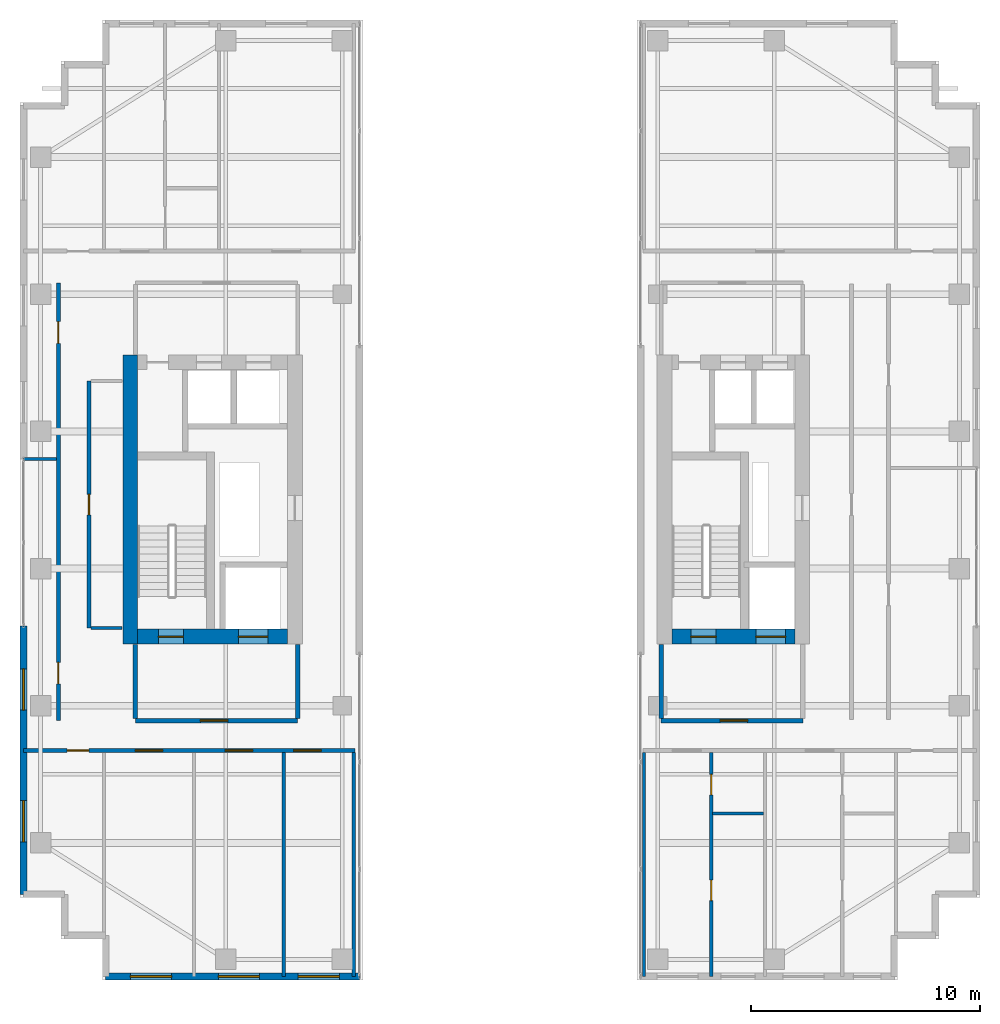
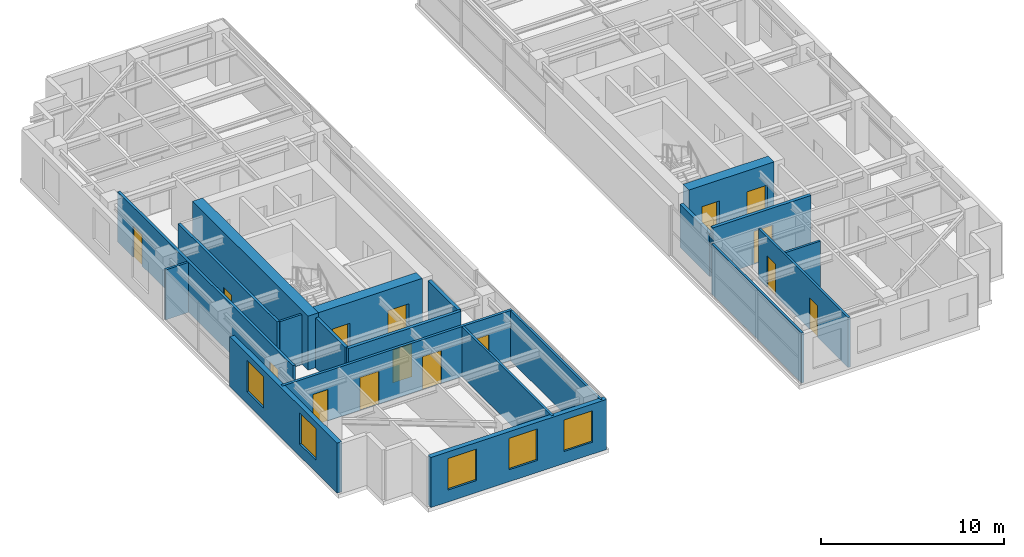
# One storey, part 16 of 20: 20 walls, 15 doors, 5 windows, 20 openings.
"""IFC4 building model written with IfcOpenShell, lengths in metres."""

from ifc_helpers import new_model, si_unit, direction, frame, frame_2d, origin, place, context, subcontext, project, spatial, rectangle, extrude, source, transform, mapped, material, layer, layer_set, type_object, element, fill, save


model = new_model("IFC4")

# Units and contexts
model_context = context("Model", 3, precision=1e-05, world=origin(), true_north=direction((0.0, 1.0)))
body_context = subcontext(model_context, "Body", "Model", "MODEL_VIEW")
ifc_project = project(units=[si_unit("LENGTHUNIT", "METRE"), si_unit("AREAUNIT", "SQUARE_METRE"), si_unit("VOLUMEUNIT", "CUBIC_METRE"), si_unit("PLANEANGLEUNIT", "RADIAN"), si_unit("MASSUNIT", "GRAM", prefix="KILO")], contexts=[model_context])

# Site, building, storey
site_placement = place(None, origin())
site = spatial("IfcSite", under=ifc_project, at=site_placement, CompositionType="ELEMENT")
building_placement = place(site_placement, origin())
building = spatial("IfcBuilding", under=site, at=building_placement, Name="Khoralis Quay Care Tower", CompositionType="ELEMENT")
storey_placement = place(building_placement, frame((0.0, 0.0, 198.89990234375)))
storey = spatial("IfcBuildingStorey", under=building, at=storey_placement, Name="L52", CompositionType="ELEMENT", Elevation=198.89990234375)

# Wall, opening, door
ifc_material_1 = material(Name="Gypsum plasterboard on acoustic metal stud")
ifc_layer_1 = layer(ifc_material_1, 0.199951171875)
ifc_layer_set_1 = layer_set([ifc_layer_1], Name="Gypsum plasterboard on acoustic metal stud")
wall_type_1 = type_object("IfcWallType", Name="WL-COMP-200", PredefinedType="PARTITIONING", material=ifc_layer_set_1)
wall_1_placement = place(storey_placement, frame((8.050048828125, 11.35009765625, 0.0), z_axis=(0.0, 0.0, 1.0), x_axis=(1.0, 0.0, 0.0)))
wall_1 = element("IfcWall", 1, at=wall_1_placement, inside=storey, type_object=wall_type_1, Name="L52 West Firefighting Lobby South Wall", PredefinedType="PARTITIONING", context=body_context, shape_type="SweptSolid", body=[
    extrude(rectangle(XDim=7.099853515625, YDim=0.199951171875, at=frame_2d((3.5498046875, 0.0))), origin(), (0.0, 0.0, 1.0), 3.340087890625),
])
opening_1_placement = place(wall_1_placement, frame((2.846435546875, 0.0, 0.0)))
opening_1 = element("IfcOpeningElement", 2, at=opening_1_placement, cuts=wall_1, Name="Opening FD1", PredefinedType="OPENING", context=body_context, shape_type="SweptSolid", body=[
    extrude(rectangle(XDim=1.199951171875, YDim=2.199951171875, at=frame_2d((0.60009765625, 1.10009765625))), frame((0.0, 0.10986328125, 0.0), z_axis=(0.0, -1.0, 0.0), x_axis=(1.0, 0.0, 0.0)), (0.0, 0.0, 1.0), 0.219970703125),
])
ifc_material_2 = material(Name="Fire-rated painted steel", Category="steel")
door_type_1 = type_object("IfcDoorType", Name="DR-FFL-1200X2200", OperationType="NOTDEFINED", PredefinedType="DOOR", material=ifc_material_2)
shared_shape_1 = source(origin(), body_context, "Body", "SweptSolid", [
    extrude(rectangle(XDim=1.199951171875, YDim=2.199951171875, at=frame_2d((0.60009765625, 1.10009765625))), frame((0.0, 0.02490234375, 0.0), z_axis=(0.0, -1.0, 0.0), x_axis=(1.0, 0.0, 0.0)), (0.0, 0.0, 1.0), 0.050048828125),
])
door_1_placement = place(opening_1_placement, origin())
door_1 = element("IfcDoor", 3, at=door_1_placement, inside=storey, type_object=door_type_1, Name="L52 West Firefighting Lobby Fire Door", OperationType="SINGLE_SWING_RIGHT", OverallHeight=2.199951171875, OverallWidth=1.199951171875, PredefinedType="DOOR", context=body_context, shape_type="MappedRepresentation", body=[
    mapped(shared_shape_1, transform((0.0, 0.0, 0.0), scale=1.0)),
])
fill(opening_1, door_1)

# Walls
for number, where, z_axis, x_axis, name in (
    (4, (8.050048828125, 11.445068359375, 0.0), (0.0, 0.0, 1.0), (0.0, 1.0, 0.0), "L52 West Firefighting Lobby West Wall"),
    (5, (15.14990234375, 11.445068359375, 0.0), (0.0, 0.0, 1.0), (0.0, 1.0, 0.0), "L52 West Firefighting Lobby East Wall"),
):
    element("IfcWall", number, at=place(storey_placement, frame(where, z_axis=z_axis, x_axis=x_axis)), inside=storey, type_object=wall_type_1, Name=name, PredefinedType="PARTITIONING", context=body_context, shape_type="SweptSolid", body=[
        extrude(rectangle(XDim=3.23486328125, YDim=0.199951171875, at=frame_2d((1.617431640625, 0.0))), origin(), (0.0, 0.0, 1.0), 3.340087890625),
    ])

# Wall, opening, door
wall_2_placement = place(storey_placement, frame((31.050048828125, 11.35009765625, 0.0), z_axis=(0.0, 0.0, 1.0), x_axis=(1.0, 0.0, 0.0)))
wall_2 = element("IfcWall", 6, at=wall_2_placement, inside=storey, type_object=wall_type_1, Name="L52 East Firefighting Lobby South Wall", PredefinedType="PARTITIONING", context=body_context, shape_type="SweptSolid", body=[
    extrude(rectangle(XDim=6.199951171875, YDim=0.199951171875, at=frame_2d((3.10009765625, 0.0))), origin(), (0.0, 0.0, 1.0), 3.340087890625),
])
opening_2_placement = place(wall_2_placement, frame((2.585693359375, 0.0, 0.0)))
opening_2 = element("IfcOpeningElement", 7, at=opening_2_placement, cuts=wall_2, Name="Opening FD1", PredefinedType="OPENING", context=body_context, shape_type="SweptSolid", body=[
    extrude(rectangle(XDim=1.199951171875, YDim=2.199951171875, at=frame_2d((0.60009765625, 1.10009765625))), frame((0.0, 0.10986328125, 0.0), z_axis=(0.0, -1.0, 0.0), x_axis=(1.0, 0.0, 0.0)), (0.0, 0.0, 1.0), 0.219970703125),
])
door_2_placement = place(opening_2_placement, origin())
door_2 = element("IfcDoor", 8, at=door_2_placement, inside=storey, type_object=door_type_1, Name="L52 East Firefighting Lobby Fire Door", OperationType="SINGLE_SWING_LEFT", OverallHeight=2.199951171875, OverallWidth=1.199951171875, PredefinedType="DOOR", context=body_context, shape_type="MappedRepresentation", body=[
    mapped(shared_shape_1, transform((0.0, 0.0, 0.0), scale=1.0)),
])
fill(opening_2, door_2)

# Walls
wall_3_placement = place(storey_placement, frame((31.050048828125, 11.445068359375, 0.0), z_axis=(0.0, 0.0, 1.0), x_axis=(0.0, 1.0, 0.0)))
element("IfcWall", 9, at=wall_3_placement, inside=storey, type_object=wall_type_1, Name="L52 East Firefighting Lobby West Wall", PredefinedType="PARTITIONING", context=body_context, shape_type="SweptSolid", body=[
    extrude(rectangle(XDim=3.23486328125, YDim=0.199951171875, at=frame_2d((1.617431640625, 0.0))), origin(), (0.0, 0.0, 1.0), 2.881103515625),
])
ifc_material_3 = material(Name="Concrete C65/80", Category="concrete")
ifc_layer_2 = layer(ifc_material_3, 0.64990234375)
ifc_layer_set_2 = layer_set([ifc_layer_2], Name="Concrete C65/80")
wall_type_2 = type_object("IfcWallType", Name="WL-CORE-650", PredefinedType="SHEAR", material=ifc_layer_set_2)
wall_4_placement = place(storey_placement, frame((7.824951171875, 14.699951171875, 0.0), z_axis=(0.0, 0.0, 1.0), x_axis=(0.0, 1.0, 0.0)))
element("IfcWall", 10, at=wall_4_placement, inside=storey, type_object=wall_type_2, Name="L52 WCORE West Shear Wall", PredefinedType="SHEAR", context=body_context, shape_type="SweptSolid", body=[
    extrude(rectangle(XDim=12.650146484375, YDim=0.64990234375, at=frame_2d((6.3251953125, 0.0))), origin(), (0.0, 0.0, 1.0), 3.60009765625),
])

# Wall, openings, doors
wall_5_placement = place(storey_placement, frame((8.14990234375, 15.02490234375, 0.0), z_axis=(0.0, 0.0, 1.0), x_axis=(1.0, 0.0, 0.0)))
wall_5 = element("IfcWall", 11, at=wall_5_placement, inside=storey, type_object=wall_type_2, Name="L52 WCORE South Shear Wall", PredefinedType="SHEAR", context=body_context, shape_type="SweptSolid", body=[
    extrude(rectangle(XDim=6.550048828125, YDim=0.64990234375, at=frame_2d((3.27490234375, 0.0))), origin(), (0.0, 0.0, 1.0), 3.60009765625),
])
opening_3_placement = place(wall_5_placement, frame((0.89990234375, 0.0, 0.0)))
opening_3 = element("IfcOpeningElement", 12, at=opening_3_placement, cuts=wall_5, Name="Opening SD1", PredefinedType="OPENING", context=body_context, shape_type="SweptSolid", body=[
    extrude(rectangle(XDim=1.10009765625, YDim=2.199951171875, at=frame_2d((0.550048828125, 1.10009765625))), frame((0.0, 0.3349609375, 0.0), z_axis=(0.0, -1.0, 0.0), x_axis=(1.0, 0.0, 0.0)), (0.0, 0.0, 1.0), 0.669921875),
])
opening_4_placement = place(wall_5_placement, frame((4.39990234375, 0.0, 0.0)))
opening_4 = element("IfcOpeningElement", 13, at=opening_4_placement, cuts=wall_5, Name="Opening LD2", PredefinedType="OPENING", context=body_context, shape_type="SweptSolid", body=[
    extrude(rectangle(XDim=1.300048828125, YDim=2.199951171875, at=frame_2d((0.64990234375, 1.10009765625))), frame((0.0, 0.3349609375, 0.0), z_axis=(0.0, -1.0, 0.0), x_axis=(1.0, 0.0, 0.0)), (0.0, 0.0, 1.0), 0.669921875),
])
door_type_2 = type_object("IfcDoorType", Name="DR-STAIR-1100X2200", OperationType="NOTDEFINED", PredefinedType="DOOR", material=ifc_material_2)
shared_shape_2 = source(origin(), body_context, "Body", "SweptSolid", [
    extrude(rectangle(XDim=1.10009765625, YDim=2.199951171875, at=frame_2d((0.550048828125, 1.10009765625))), frame((0.0, 0.02490234375, 0.0), z_axis=(0.0, -1.0, 0.0), x_axis=(1.0, 0.0, 0.0)), (0.0, 0.0, 1.0), 0.050048828125),
])
door_3_placement = place(opening_3_placement, origin())
door_3 = element("IfcDoor", 14, at=door_3_placement, inside=storey, type_object=door_type_2, Name="L52 Stair ST-T1 Fire Door", OperationType="SINGLE_SWING_RIGHT", OverallHeight=2.199951171875, OverallWidth=1.10009765625, PredefinedType="DOOR", context=body_context, shape_type="MappedRepresentation", body=[
    mapped(shared_shape_2, transform((0.0, 0.0, 0.0), scale=1.0)),
])
fill(opening_3, door_3)
ifc_material_4 = material(Name="Brushed stainless steel", Category="steel")
door_type_3 = type_object("IfcDoorType", Name="DR-LIFT-1300X2200", OperationType="SLIDING_TO_RIGHT", PredefinedType="DOOR", material=ifc_material_4)
shared_shape_3 = source(origin(), body_context, "Body", "SweptSolid", [
    extrude(rectangle(XDim=1.300048828125, YDim=2.199951171875, at=frame_2d((0.64990234375, 1.10009765625))), frame((0.0, 0.02490234375, 0.0), z_axis=(0.0, -1.0, 0.0), x_axis=(1.0, 0.0, 0.0)), (0.0, 0.0, 1.0), 0.050048828125),
])
door_4_placement = place(opening_4_placement, origin())
door_4 = element("IfcDoor", 15, at=door_4_placement, inside=storey, type_object=door_type_3, Name="L52 Firefighting Lift FFL-1 Landing Door", OperationType="SLIDING_TO_RIGHT", OverallHeight=2.199951171875, OverallWidth=1.300048828125, PredefinedType="DOOR", context=body_context, shape_type="MappedRepresentation", body=[
    mapped(shared_shape_3, transform((0.0, 0.0, 0.0), scale=1.0)),
])
fill(opening_4, door_4)

wall_6_placement = place(storey_placement, frame((31.52001953125, 15.02490234375, 0.0), z_axis=(0.0, 0.0, 1.0), x_axis=(1.0, 0.0, 0.0)))
wall_6 = element("IfcWall", 16, at=wall_6_placement, inside=storey, type_object=wall_type_2, Name="L52 ECORE South Shear Wall", PredefinedType="SHEAR", context=body_context, shape_type="SweptSolid", body=[
    extrude(rectangle(XDim=5.3798828125, YDim=0.64990234375, at=frame_2d((2.68994140625, 0.0))), origin(), (0.0, 0.0, 1.0), 3.60009765625),
])
opening_5_placement = place(wall_6_placement, frame((0.830078125, 0.0, 0.0)))
opening_5 = element("IfcOpeningElement", 17, at=opening_5_placement, cuts=wall_6, Name="Opening SD1", PredefinedType="OPENING", context=body_context, shape_type="SweptSolid", body=[
    extrude(rectangle(XDim=1.10009765625, YDim=2.199951171875, at=frame_2d((0.550048828125, 1.10009765625))), frame((0.0, 0.3349609375, 0.0), z_axis=(0.0, -1.0, 0.0), x_axis=(1.0, 0.0, 0.0)), (0.0, 0.0, 1.0), 0.669921875),
])
opening_6_placement = place(wall_6_placement, frame((3.679931640625, 0.0, 0.0)))
opening_6 = element("IfcOpeningElement", 18, at=opening_6_placement, cuts=wall_6, Name="Opening LD2", PredefinedType="OPENING", context=body_context, shape_type="SweptSolid", body=[
    extrude(rectangle(XDim=1.300048828125, YDim=2.199951171875, at=frame_2d((0.64990234375, 1.10009765625))), frame((0.0, 0.3349609375, 0.0), z_axis=(0.0, -1.0, 0.0), x_axis=(1.0, 0.0, 0.0)), (0.0, 0.0, 1.0), 0.669921875),
])
door_5_placement = place(opening_5_placement, origin())
door_5 = element("IfcDoor", 19, at=door_5_placement, inside=storey, type_object=door_type_2, Name="L52 Stair ST-T2 Fire Door", OperationType="SINGLE_SWING_LEFT", OverallHeight=2.199951171875, OverallWidth=1.10009765625, PredefinedType="DOOR", context=body_context, shape_type="MappedRepresentation", body=[
    mapped(shared_shape_2, transform((0.0, 0.0, 0.0), scale=1.0)),
])
fill(opening_5, door_5)
door_6_placement = place(opening_6_placement, origin())
door_6 = element("IfcDoor", 20, at=door_6_placement, inside=storey, type_object=door_type_3, Name="L52 Firefighting Lift FFL-2 Landing Door", OperationType="SLIDING_TO_RIGHT", OverallHeight=2.199951171875, OverallWidth=1.300048828125, PredefinedType="DOOR", context=body_context, shape_type="MappedRepresentation", body=[
    mapped(shared_shape_3, transform((0.0, 0.0, 0.0), scale=1.0)),
])
fill(opening_6, door_6)

# Wall, opening, door
ifc_layer_3 = layer(ifc_material_1, 0.1650390625)
ifc_layer_set_3 = layer_set([ifc_layer_3], Name="Gypsum plasterboard on acoustic metal stud")
wall_type_3 = type_object("IfcWallType", Name="WL-CORR-165", PredefinedType="PARTITIONING", material=ifc_layer_set_3)
wall_7_placement = place(storey_placement, frame((6.02001953125, 15.39990234375, 0.0), z_axis=(0.0, 0.0, 1.0), x_axis=(0.0, 1.0, 0.0)))
wall_7 = element("IfcWall", 21, at=wall_7_placement, inside=storey, type_object=wall_type_3, Name="L52 West Core Service Flank Wall", PredefinedType="PARTITIONING", context=body_context, shape_type="SweptSolid", body=[
    extrude(rectangle(XDim=10.800048828125, YDim=0.1650390625, at=frame_2d((5.39990234375, 0.0))), origin(), (0.0, 0.0, 1.0), 3.340087890625),
])
opening_7_placement = place(wall_7_placement, frame((4.949951171875, 0.0, 0.0)))
opening_7 = element("IfcOpeningElement", 22, at=opening_7_placement, cuts=wall_7, Name="Opening WD1", PredefinedType="OPENING", context=body_context, shape_type="SweptSolid", body=[
    extrude(rectangle(XDim=0.89990234375, YDim=2.10009765625, at=frame_2d((0.449951171875, 1.050048828125))), frame((0.0, 0.092529296875, 0.0), z_axis=(0.0, -1.0, 0.0), x_axis=(1.0, 0.0, 0.0)), (0.0, 0.0, 1.0), 0.18505859375),
])
ifc_material_5 = material(Name="Acoustic hardwood timber", Category="wood")
door_type_4 = type_object("IfcDoorType", Name="DR-BATH-900X2100", OperationType="NOTDEFINED", PredefinedType="DOOR", material=ifc_material_5)
shared_shape_4 = source(origin(), body_context, "Body", "SweptSolid", [
    extrude(rectangle(XDim=0.89990234375, YDim=2.10009765625, at=frame_2d((0.449951171875, 1.050048828125))), frame((0.0, 0.02490234375, 0.0), z_axis=(0.0, -1.0, 0.0), x_axis=(1.0, 0.0, 0.0)), (0.0, 0.0, 1.0), 0.050048828125),
])
door_7_placement = place(opening_7_placement, frame((0.89990234375, 0.0, 0.0), z_axis=(0.0, 0.0, 1.0), x_axis=(-1.0, 0.0, 0.0)))
door_7 = element("IfcDoor", 23, at=door_7_placement, inside=storey, type_object=door_type_4, Name="L52 Housekeeping & Public Accessible WC Door", OperationType="SINGLE_SWING_LEFT", OverallHeight=2.10009765625, OverallWidth=0.89990234375, PredefinedType="DOOR", context=body_context, shape_type="MappedRepresentation", body=[
    mapped(shared_shape_4, transform((0.0, 0.0, 0.0), scale=1.0)),
])
fill(opening_7, door_7)

# Wall, openings, doors
wall_8_placement = place(storey_placement, frame((3.14501953125, 10.0400390625, 0.0), z_axis=(0.0, 0.0, 1.0), x_axis=(1.0, 0.0, 0.0)))
wall_8 = element("IfcWall", 24, at=wall_8_placement, inside=storey, type_object=wall_type_3, Name="L52 West Wing South Corridor Wall", PredefinedType="PARTITIONING", context=body_context, shape_type="SweptSolid", body=[
    extrude(rectangle(XDim=14.5048828125, YDim=0.1650390625, at=frame_2d((7.25244140625, 0.0))), origin(), (0.0, 0.0, 1.0), 3.340087890625),
])
opening_8_placement = place(wall_8_placement, frame((4.89990234375, 0.0, 0.0)))
opening_8 = element("IfcOpeningElement", 25, at=opening_8_placement, cuts=wall_8, Name="Opening FD1", PredefinedType="OPENING", context=body_context, shape_type="SweptSolid", body=[
    extrude(rectangle(XDim=1.199951171875, YDim=2.199951171875, at=frame_2d((0.60009765625, 1.10009765625))), frame((0.0, 0.092529296875, 0.0), z_axis=(0.0, -1.0, 0.0), x_axis=(1.0, 0.0, 0.0)), (0.0, 0.0, 1.0), 0.18505859375),
])
opening_9_placement = place(wall_8_placement, frame((8.830078125, 0.0, 0.0)))
opening_9 = element("IfcOpeningElement", 26, at=opening_9_placement, cuts=wall_8, Name="Opening FD1", PredefinedType="OPENING", context=body_context, shape_type="SweptSolid", body=[
    extrude(rectangle(XDim=1.199951171875, YDim=2.199951171875, at=frame_2d((0.60009765625, 1.10009765625))), frame((0.0, 0.092529296875, 0.0), z_axis=(0.0, -1.0, 0.0), x_axis=(1.0, 0.0, 0.0)), (0.0, 0.0, 1.0), 0.18505859375),
])
opening_10_placement = place(wall_8_placement, frame((11.824951171875, 0.0, 0.0)))
opening_10 = element("IfcOpeningElement", 27, at=opening_10_placement, cuts=wall_8, Name="Opening FD1", PredefinedType="OPENING", context=body_context, shape_type="SweptSolid", body=[
    extrude(rectangle(XDim=1.199951171875, YDim=2.199951171875, at=frame_2d((0.60009765625, 1.10009765625))), frame((0.0, 0.092529296875, 0.0), z_axis=(0.0, -1.0, 0.0), x_axis=(1.0, 0.0, 0.0)), (0.0, 0.0, 1.0), 0.18505859375),
])
opening_11_placement = place(wall_8_placement, frame((1.919921875, 0.0, 0.0)))
opening_11 = element("IfcOpeningElement", 28, at=opening_11_placement, cuts=wall_8, Name="Opening ID1", PredefinedType="OPENING", context=body_context, shape_type="SweptSolid", body=[
    extrude(rectangle(XDim=0.949951171875, YDim=2.10009765625, at=frame_2d((0.47509765625, 1.050048828125))), frame((0.0, 0.092529296875, 0.0), z_axis=(0.0, -1.0, 0.0), x_axis=(1.0, 0.0, 0.0)), (0.0, 0.0, 1.0), 0.18505859375),
])
door_8_placement = place(opening_8_placement, frame((1.199951171875, 0.0, 0.0), z_axis=(0.0, 0.0, 1.0), x_axis=(-1.0, 0.0, 0.0)))
door_8 = element("IfcDoor", 29, at=door_8_placement, inside=storey, type_object=door_type_1, Name="L52 Resident Communal Day Lounge Door", OperationType="DOUBLE_DOOR_SINGLE_SWING", OverallHeight=2.199951171875, OverallWidth=1.199951171875, PredefinedType="DOOR", context=body_context, shape_type="MappedRepresentation", body=[
    mapped(shared_shape_1, transform((0.0, 0.0, 0.0), scale=1.0)),
])
fill(opening_8, door_8)
door_9_placement = place(opening_9_placement, frame((1.199951171875, 0.0, 0.0), z_axis=(0.0, 0.0, 1.0), x_axis=(-1.0, 0.0, 0.0)))
door_9 = element("IfcDoor", 30, at=door_9_placement, inside=storey, type_object=door_type_1, Name="L52 Resident Communal Day Lounge Door", OperationType="DOUBLE_DOOR_SINGLE_SWING", OverallHeight=2.199951171875, OverallWidth=1.199951171875, PredefinedType="DOOR", context=body_context, shape_type="MappedRepresentation", body=[
    mapped(shared_shape_1, transform((0.0, 0.0, 0.0), scale=1.0)),
])
fill(opening_9, door_9)
door_10_placement = place(opening_10_placement, frame((1.199951171875, 0.0, 0.0), z_axis=(0.0, 0.0, 1.0), x_axis=(-1.0, 0.0, 0.0)))
door_10 = element("IfcDoor", 31, at=door_10_placement, inside=storey, type_object=door_type_1, Name="L52 Resident Communal Day Lounge Door", OperationType="DOUBLE_DOOR_SINGLE_SWING", OverallHeight=2.199951171875, OverallWidth=1.199951171875, PredefinedType="DOOR", context=body_context, shape_type="MappedRepresentation", body=[
    mapped(shared_shape_1, transform((0.0, 0.0, 0.0), scale=1.0)),
])
fill(opening_10, door_10)
door_type_5 = type_object("IfcDoorType", Name="DR-ROOM-950X2100", OperationType="NOTDEFINED", PredefinedType="DOOR", material=ifc_material_5)
shared_shape_5 = source(origin(), body_context, "Body", "SweptSolid", [
    extrude(rectangle(XDim=0.949951171875, YDim=2.10009765625, at=frame_2d((0.47509765625, 1.050048828125))), frame((0.0, 0.02490234375, 0.0), z_axis=(0.0, -1.0, 0.0), x_axis=(1.0, 0.0, 0.0)), (0.0, 0.0, 1.0), 0.050048828125),
])
door_11_placement = place(opening_11_placement, frame((0.949951171875, 0.0, 0.0), z_axis=(0.0, 0.0, 1.0), x_axis=(-1.0, 0.0, 0.0)))
door_11 = element("IfcDoor", 32, at=door_11_placement, inside=storey, type_object=door_type_5, Name="L52 SW Corner Door", OperationType="SINGLE_SWING_LEFT", OverallHeight=2.10009765625, OverallWidth=0.949951171875, PredefinedType="DOOR", context=body_context, shape_type="MappedRepresentation", body=[
    mapped(shared_shape_5, transform((0.0, 0.0, 0.0), scale=1.0)),
])
fill(opening_11, door_11)

wall_9_placement = place(storey_placement, frame((4.679931640625, 11.35009765625, 0.0), z_axis=(0.0, 0.0, 1.0), x_axis=(0.0, 1.0, 0.0)))
wall_9 = element("IfcWall", 33, at=wall_9_placement, inside=storey, type_object=wall_type_3, Name="L52 West Mid South Entry Wall", PredefinedType="PARTITIONING", context=body_context, shape_type="SweptSolid", body=[
    extrude(rectangle(XDim=19.14990234375, YDim=0.1650390625, at=frame_2d((9.574951171875, 0.0))), origin(), (0.0, 0.0, 1.0), 3.340087890625),
])
opening_12_placement = place(wall_9_placement, frame((1.60009765625, 0.0, 0.0)))
opening_12 = element("IfcOpeningElement", 34, at=opening_12_placement, cuts=wall_9, Name="Opening ID1", PredefinedType="OPENING", context=body_context, shape_type="SweptSolid", body=[
    extrude(rectangle(XDim=0.949951171875, YDim=2.10009765625, at=frame_2d((0.47509765625, 1.050048828125))), frame((0.0, 0.092529296875, 0.0), z_axis=(0.0, -1.0, 0.0), x_axis=(1.0, 0.0, 0.0)), (0.0, 0.0, 1.0), 0.18505859375),
])
opening_13_placement = place(wall_9_placement, frame((16.5, 0.0, 0.0)))
opening_13 = element("IfcOpeningElement", 35, at=opening_13_placement, cuts=wall_9, Name="Opening ID1", PredefinedType="OPENING", context=body_context, shape_type="SweptSolid", body=[
    extrude(rectangle(XDim=0.949951171875, YDim=2.10009765625, at=frame_2d((0.47509765625, 1.050048828125))), frame((0.0, 0.092529296875, 0.0), z_axis=(0.0, -1.0, 0.0), x_axis=(1.0, 0.0, 0.0)), (0.0, 0.0, 1.0), 0.18505859375),
])
door_12_placement = place(opening_12_placement, frame((0.949951171875, 0.0, 0.0), z_axis=(0.0, 0.0, 1.0), x_axis=(-1.0, 0.0, 0.0)))
door_12 = element("IfcDoor", 36, at=door_12_placement, inside=storey, type_object=door_type_5, Name="L52 West Consultation Clinic Door", OperationType="SINGLE_SWING_LEFT", OverallHeight=2.10009765625, OverallWidth=0.949951171875, PredefinedType="DOOR", context=body_context, shape_type="MappedRepresentation", body=[
    mapped(shared_shape_5, transform((0.0, 0.0, 0.0), scale=1.0)),
])
fill(opening_12, door_12)
door_13_placement = place(opening_13_placement, frame((0.949951171875, 0.0, 0.0), z_axis=(0.0, 0.0, 1.0), x_axis=(-1.0, 0.0, 0.0)))
door_13 = element("IfcDoor", 37, at=door_13_placement, inside=storey, type_object=door_type_5, Name="L52 West Resident Day Lounge Door", OperationType="SINGLE_SWING_RIGHT", OverallHeight=2.10009765625, OverallWidth=0.949951171875, PredefinedType="DOOR", context=body_context, shape_type="MappedRepresentation", body=[
    mapped(shared_shape_5, transform((0.0, 0.0, 0.0), scale=1.0)),
])
fill(opening_13, door_13)

# Wall, openings, windows
ifc_material_6 = material(Name="Precast concrete C45/55", Category="concrete")
ifc_layer_4 = layer(ifc_material_6, 0.300048828125)
ifc_layer_set_4 = layer_set([ifc_layer_4], Name="Precast concrete C45/55")
wall_type_4 = type_object("IfcWallType", Name="WL-EXT-REF-300", PredefinedType="SOLIDWALL", material=ifc_layer_set_4)
wall_10_placement = place(storey_placement, frame((6.75, 0.14990234375, 0.0), z_axis=(0.0, 0.0, 1.0), x_axis=(1.0, 0.0, 0.0)))
wall_10 = element("IfcWall", 38, at=wall_10_placement, inside=storey, type_object=wall_type_4, Name="L52 External Facade Wall WL-EXT-L52-P1-E0", PredefinedType="SOLIDWALL", context=body_context, shape_type="SweptSolid", body=[
    extrude(rectangle(XDim=11.10009765625, YDim=0.300048828125, at=frame_2d((5.550048828125, 0.0))), origin(), (0.0, 0.0, 1.0), 3.340087890625),
])
opening_14_placement = place(wall_10_placement, frame((1.080078125, 0.0, 0.800048828125)))
opening_14 = element("IfcOpeningElement", 39, at=opening_14_placement, cuts=wall_10, Name="Opening W2", PredefinedType="OPENING", context=body_context, shape_type="SweptSolid", body=[
    extrude(rectangle(XDim=1.800048828125, YDim=2.10009765625, at=frame_2d((0.89990234375, 1.050048828125))), frame((0.0, 0.16015625, 0.0), z_axis=(0.0, -1.0, 0.0), x_axis=(1.0, 0.0, 0.0)), (0.0, 0.0, 1.0), 0.320068359375),
])
opening_15_placement = place(wall_10_placement, frame((4.925048828125, 0.0, 0.800048828125)))
opening_15 = element("IfcOpeningElement", 40, at=opening_15_placement, cuts=wall_10, Name="Opening W2", PredefinedType="OPENING", context=body_context, shape_type="SweptSolid", body=[
    extrude(rectangle(XDim=1.800048828125, YDim=2.10009765625, at=frame_2d((0.89990234375, 1.050048828125))), frame((0.0, 0.16015625, 0.0), z_axis=(0.0, -1.0, 0.0), x_axis=(1.0, 0.0, 0.0)), (0.0, 0.0, 1.0), 0.320068359375),
])
opening_16_placement = place(wall_10_placement, frame((8.419921875, 0.0, 0.800048828125)))
opening_16 = element("IfcOpeningElement", 41, at=opening_16_placement, cuts=wall_10, Name="Opening W2", PredefinedType="OPENING", context=body_context, shape_type="SweptSolid", body=[
    extrude(rectangle(XDim=1.800048828125, YDim=2.10009765625, at=frame_2d((0.89990234375, 1.050048828125))), frame((0.0, 0.16015625, 0.0), z_axis=(0.0, -1.0, 0.0), x_axis=(1.0, 0.0, 0.0)), (0.0, 0.0, 1.0), 0.320068359375),
])
ifc_material_7 = material(Name="Low-E solar-control double glazing", Category="glass")
window_type = type_object("IfcWindowType", Name="WN-POD-1800X2100", PartitioningType="SINGLE_PANEL", PredefinedType="WINDOW", material=ifc_material_7)
shared_shape_6 = source(origin(), body_context, "Body", "SweptSolid", [
    extrude(rectangle(XDim=1.800048828125, YDim=2.10009765625, at=frame_2d((0.89990234375, 1.050048828125))), frame((0.0, 0.030029296875, 0.0), z_axis=(0.0, -1.0, 0.0), x_axis=(1.0, 0.0, 0.0)), (0.0, 0.0, 1.0), 0.06005859375),
])
window_1_placement = place(opening_14_placement, origin())
window_1 = element("IfcWindow", 42, at=window_1_placement, inside=storey, type_object=window_type, Name="WN-L52-P1-E0 Facade Window 01", OverallHeight=2.10009765625, OverallWidth=1.800048828125, PartitioningType="SINGLE_PANEL", PredefinedType="WINDOW", context=body_context, shape_type="MappedRepresentation", body=[
    mapped(shared_shape_6, transform((0.0, 0.0, 0.0), scale=1.0)),
])
fill(opening_14, window_1)
window_2_placement = place(opening_15_placement, origin())
window_2 = element("IfcWindow", 43, at=window_2_placement, inside=storey, type_object=window_type, Name="WN-L52-P1-E0 Facade Window 02", OverallHeight=2.10009765625, OverallWidth=1.800048828125, PartitioningType="SINGLE_PANEL", PredefinedType="WINDOW", context=body_context, shape_type="MappedRepresentation", body=[
    mapped(shared_shape_6, transform((0.0, 0.0, 0.0), scale=1.0)),
])
fill(opening_15, window_2)
window_3_placement = place(opening_16_placement, origin())
window_3 = element("IfcWindow", 44, at=window_3_placement, inside=storey, type_object=window_type, Name="WN-L52-P1-E0 Facade Window 03", OverallHeight=2.10009765625, OverallWidth=1.800048828125, PartitioningType="SINGLE_PANEL", PredefinedType="WINDOW", context=body_context, shape_type="MappedRepresentation", body=[
    mapped(shared_shape_6, transform((0.0, 0.0, 0.0), scale=1.0)),
])
fill(opening_16, window_3)

wall_11_placement = place(storey_placement, frame((3.14990234375, 15.47998046875, 0.0), z_axis=(0.0, 0.0, 1.0), x_axis=(0.0, -1.0, 0.0)))
wall_11 = element("IfcWall", 45, at=wall_11_placement, inside=storey, type_object=wall_type_4, Name="L52 External Facade Wall WL-EXT-L52-P1-E7B", PredefinedType="SOLIDWALL", context=body_context, shape_type="SweptSolid", body=[
    extrude(rectangle(XDim=11.72998046875, YDim=0.300048828125, at=frame_2d((5.864990234375, 0.0))), origin(), (0.0, 0.0, 1.0), 3.340087890625),
])
opening_17_placement = place(wall_11_placement, frame((1.8701171875, 0.0, 0.800048828125)))
opening_17 = element("IfcOpeningElement", 46, at=opening_17_placement, cuts=wall_11, Name="Opening W2", PredefinedType="OPENING", context=body_context, shape_type="SweptSolid", body=[
    extrude(rectangle(XDim=1.800048828125, YDim=2.10009765625, at=frame_2d((0.89990234375, 1.050048828125))), frame((0.0, 0.16015625, 0.0), z_axis=(0.0, -1.0, 0.0), x_axis=(1.0, 0.0, 0.0)), (0.0, 0.0, 1.0), 0.320068359375),
])
opening_18_placement = place(wall_11_placement, frame((7.635009765625, 0.0, 0.800048828125)))
opening_18 = element("IfcOpeningElement", 47, at=opening_18_placement, cuts=wall_11, Name="Opening W2", PredefinedType="OPENING", context=body_context, shape_type="SweptSolid", body=[
    extrude(rectangle(XDim=1.800048828125, YDim=2.10009765625, at=frame_2d((0.89990234375, 1.050048828125))), frame((0.0, 0.16015625, 0.0), z_axis=(0.0, -1.0, 0.0), x_axis=(1.0, 0.0, 0.0)), (0.0, 0.0, 1.0), 0.320068359375),
])
window_4_placement = place(opening_17_placement, origin())
window_4 = element("IfcWindow", 48, at=window_4_placement, inside=storey, type_object=window_type, Name="WN-L52-P1-E7B Facade Window 01", OverallHeight=2.10009765625, OverallWidth=1.800048828125, PartitioningType="SINGLE_PANEL", PredefinedType="WINDOW", context=body_context, shape_type="MappedRepresentation", body=[
    mapped(shared_shape_6, transform((0.0, 0.0, 0.0), scale=1.0)),
])
fill(opening_17, window_4)
window_5_placement = place(opening_18_placement, origin())
window_5 = element("IfcWindow", 49, at=window_5_placement, inside=storey, type_object=window_type, Name="WN-L52-P1-E7B Facade Window 02", OverallHeight=2.10009765625, OverallWidth=1.800048828125, PartitioningType="SINGLE_PANEL", PredefinedType="WINDOW", context=body_context, shape_type="MappedRepresentation", body=[
    mapped(shared_shape_6, transform((0.0, 0.0, 0.0), scale=1.0)),
])
fill(opening_18, window_5)

# Wall, openings, doors
ifc_material_8 = material(Name="Moisture-resistant gypsum and ceramic tile")
ifc_layer_5 = layer(ifc_material_8, 0.280029296875)
ifc_layer_set_5 = layer_set([ifc_layer_5], Name="Moisture-resistant gypsum and ceramic tile")
wall_type_5 = type_object("IfcWallType", Name="WL-PLUMB-280", PredefinedType="PLUMBINGWALL", material=ifc_layer_set_5)
wall_12_placement = place(storey_placement, frame((33.239990234375, 0.14501953125, 0.0), z_axis=(0.0, 0.0, 1.0), x_axis=(0.0, 1.0, 0.0)))
wall_12 = element("IfcWall", 50, at=wall_12_placement, inside=storey, type_object=wall_type_5, Name="L52 Care Suite 0 En-Suite Wall V", PredefinedType="PLUMBINGWALL", context=body_context, shape_type="SweptSolid", body=[
    extrude(rectangle(XDim=9.8173828125, YDim=0.139892578125, at=frame_2d((4.90869140625, 0.0))), origin(), (0.0, 0.0, 1.0), 3.340087890625),
])
opening_19_placement = place(wall_12_placement, frame((7.955078125, 0.0, 0.0)))
opening_19 = element("IfcOpeningElement", 51, at=opening_19_placement, cuts=wall_12, Name="Opening WD1", PredefinedType="OPENING", context=body_context, shape_type="SweptSolid", body=[
    extrude(rectangle(XDim=0.89990234375, YDim=2.10009765625, at=frame_2d((0.449951171875, 1.050048828125))), frame((0.0, 0.080078125, 0.0), z_axis=(0.0, -1.0, 0.0), x_axis=(1.0, 0.0, 0.0)), (0.0, 0.0, 1.0), 0.159912109375),
])
opening_20_placement = place(wall_12_placement, frame((3.324951171875, 0.0, 0.0)))
opening_20 = element("IfcOpeningElement", 52, at=opening_20_placement, cuts=wall_12, Name="Opening WD1", PredefinedType="OPENING", context=body_context, shape_type="SweptSolid", body=[
    extrude(rectangle(XDim=0.89990234375, YDim=2.10009765625, at=frame_2d((0.449951171875, 1.050048828125))), frame((0.0, 0.080078125, 0.0), z_axis=(0.0, -1.0, 0.0), x_axis=(1.0, 0.0, 0.0)), (0.0, 0.0, 1.0), 0.159912109375),
])
door_14_placement = place(opening_19_placement, frame((0.89990234375, 0.0, 0.0), z_axis=(0.0, 0.0, 1.0), x_axis=(-1.0, 0.0, 0.0)))
door_14 = element("IfcDoor", 53, at=door_14_placement, inside=storey, type_object=door_type_4, Name="L52 Care CENS Door", OperationType="SINGLE_SWING_RIGHT", OverallHeight=2.10009765625, OverallWidth=0.89990234375, PredefinedType="DOOR", context=body_context, shape_type="MappedRepresentation", body=[
    mapped(shared_shape_4, transform((0.0, 0.0, 0.0), scale=1.0)),
])
fill(opening_19, door_14)
door_15_placement = place(opening_20_placement, frame((0.89990234375, 0.0, 0.0), z_axis=(0.0, 0.0, 1.0), x_axis=(-1.0, 0.0, 0.0)))
door_15 = element("IfcDoor", 54, at=door_15_placement, inside=storey, type_object=door_type_4, Name="L52 Care CSIT Door", OperationType="SINGLE_SWING_LEFT", OverallHeight=2.10009765625, OverallWidth=0.89990234375, PredefinedType="DOOR", context=body_context, shape_type="MappedRepresentation", body=[
    mapped(shared_shape_4, transform((0.0, 0.0, 0.0), scale=1.0)),
])
fill(opening_20, door_15)

# Walls
wall_13_placement = place(storey_placement, frame((33.304931640625, 7.2900390625, 0.0), z_axis=(0.0, 0.0, 1.0), x_axis=(1.0, 0.0, 0.0)))
element("IfcWall", 55, at=wall_13_placement, inside=storey, type_object=wall_type_5, Name="L52 Care Suite 0 En-Suite Wall H", PredefinedType="PLUMBINGWALL", context=body_context, shape_type="SweptSolid", body=[
    extrude(rectangle(XDim=2.219970703125, YDim=0.139892578125, at=frame_2d((1.10986328125, 0.0))), origin(), (0.0, 0.0, 1.0), 3.340087890625),
])
ifc_layer_6 = layer(ifc_material_1, 0.139892578125)
ifc_layer_set_6 = layer_set([ifc_layer_6], Name="Gypsum plasterboard on acoustic metal stud")
wall_type_6 = type_object("IfcWallType", Name="WL-UNIT-140", PredefinedType="PARTITIONING", material=ifc_layer_set_6)
wall_14_placement = place(storey_placement, frame((6.097412109375, 15.39990234375, 0.0), z_axis=(0.0, 0.0, 1.0), x_axis=(1.0, 0.0, 0.0)))
element("IfcWall", 56, at=wall_14_placement, inside=storey, type_object=wall_type_6, Name="L52 West Flank South Cap", PredefinedType="PARTITIONING", context=body_context, shape_type="SweptSolid", body=[
    extrude(rectangle(XDim=1.362548828125, YDim=0.139892578125, at=frame_2d((0.68115234375, 0.0))), origin(), (0.0, 0.0, 1.0), 3.340087890625),
])
wall_15_placement = place(storey_placement, frame((3.14501953125, 22.800048828125, 0.0), z_axis=(0.0, 0.0, 1.0), x_axis=(1.0, 0.0, 0.0)))
element("IfcWall", 57, at=wall_15_placement, inside=storey, type_object=wall_type_6, Name="L52 West Mid Split", PredefinedType="PARTITIONING", context=body_context, shape_type="SweptSolid", body=[
    extrude(rectangle(XDim=1.45751953125, YDim=0.139892578125, at=frame_2d((0.728759765625, 0.0))), origin(), (0.0, 0.0, 1.0), 3.340087890625),
])
for number, where, z_axis, x_axis, name in (
    (58, (14.5400390625, 0.14501953125, 0.0), (0.0, 0.0, 1.0), (0.0, 1.0, 0.0), "L52 WS Demising Wall 2"),
    (59, (17.60009765625, 0.14501953125, 0.0), (0.0, 0.0, 1.0), (0.0, 1.0, 0.0), "L52 WS Demising Wall 3"),
    (60, (30.300048828125, 0.14501953125, 0.0), (0.0, 0.0, 1.0), (0.0, 1.0, 0.0), "L52 ES Demising Wall 0"),
):
    element("IfcWall", number, at=place(storey_placement, frame(where, z_axis=z_axis, x_axis=x_axis)), inside=storey, type_object=wall_type_6, Name=name, PredefinedType="PARTITIONING", context=body_context, shape_type="SweptSolid", body=[
        extrude(rectangle(XDim=9.8173828125, YDim=0.139892578125, at=frame_2d((4.90869140625, 0.0))), origin(), (0.0, 0.0, 1.0), 3.340087890625),
    ])

save(model, "model.ifc")
